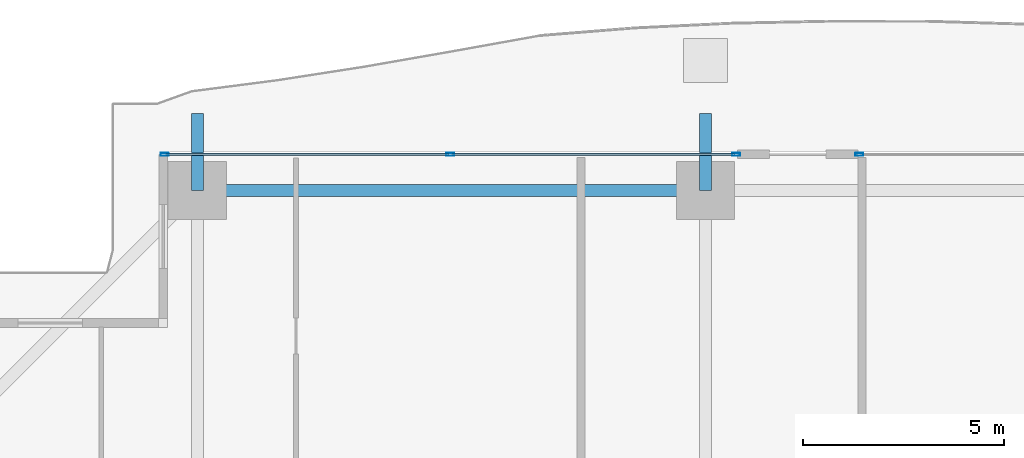
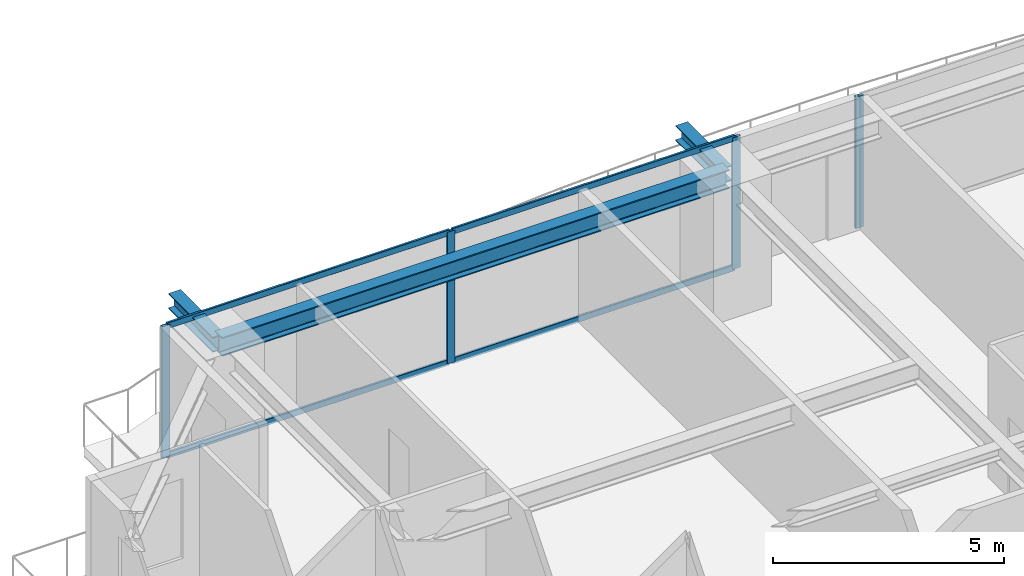
# One storey, part 17 of 34: 8 members, 3 beams, 2 elements without a shape of their own.
"""IFC4 building model written with IfcOpenShell, lengths in metres."""

from ifc_helpers import new_model, si_unit, direction, frame, origin, origin_2d, place, context, subcontext, project, spatial, hollow_rectangle, i_section, extrude, source, transform, mapped, material, layer, layer_set, material_profile, profile_set, type_object, element, aggregate, save


model = new_model("IFC4")

# Units and contexts
model_context = context("Model", 3, precision=1e-05, world=origin(), true_north=direction((0.0, 1.0)))
body_context = subcontext(model_context, "Body", "Model", "MODEL_VIEW")
ifc_project = project(units=[si_unit("LENGTHUNIT", "METRE"), si_unit("AREAUNIT", "SQUARE_METRE"), si_unit("VOLUMEUNIT", "CUBIC_METRE"), si_unit("PLANEANGLEUNIT", "RADIAN"), si_unit("MASSUNIT", "GRAM", prefix="KILO")], contexts=[model_context])

# Site, building, storey
site_placement = place(None, origin())
site = spatial("IfcSite", under=ifc_project, at=site_placement, CompositionType="ELEMENT")
building_placement = place(site_placement, origin())
building = spatial("IfcBuilding", under=site, at=building_placement, Name="Serunith Strait Residences", CompositionType="ELEMENT")
storey_placement = place(building_placement, frame((0.0, 0.0, 101.699951171875)))
storey = spatial("IfcBuildingStorey", under=building, at=storey_placement, Name="L25", CompositionType="ELEMENT", Elevation=101.699951171875)

# Beams
ifc_material_1 = material(Name="Steel S355J2", Category="steel")
ifc_material_profile_1 = material_profile(ifc_material_1, i_section(OverallWidth=0.300048828125, OverallDepth=0.5, WebThickness=0.014404296875, FlangeThickness=0.028076171875, FilletRadius=0.027099609375, at=origin_2d()), Name="HEB 500")
ifc_profile_set_1 = profile_set([ifc_material_profile_1], Name="Steel S355J2")
beam_type_1 = type_object("IfcBeamType", Name="BM-HEB500", PredefinedType="BEAM", material=ifc_profile_set_1)
shared_shape_1 = source(origin(), body_context, "Body", "SweptSolid", [
    extrude(i_section(OverallWidth=0.300048828125, OverallDepth=0.5, WebThickness=0.014404296875, FlangeThickness=0.028076171875, FilletRadius=0.027099609375, at=origin_2d()), origin(), (0.0, 0.0, 1.0), 12.64990234375),
])
beam_placement = place(storey_placement, frame((27.89990234375, 49.300048828125, 3.237060546875), z_axis=(-1.0, 0.0, 0.0), x_axis=(0.0, -1.0, 0.0)))
element("IfcBeam", 1, at=beam_placement, inside=storey, type_object=beam_type_1, Name="L25 Perimeter Ring Beam 11", PredefinedType="BEAM", context=body_context, shape_type="MappedRepresentation", body=[
    mapped(shared_shape_1, transform((0.0, 0.0, 0.0), scale=1.0)),
])
ifc_material_profile_2 = material_profile(ifc_material_1, i_section(OverallWidth=0.300048828125, OverallDepth=0.39990234375, WebThickness=0.013427734375, FlangeThickness=0.02392578125, FilletRadius=0.027099609375, at=origin_2d()), Name="HEB 400")
ifc_profile_set_2 = profile_set([ifc_material_profile_2], Name="Steel S355J2")
beam_type_2 = type_object("IfcBeamType", Name="BM-HEB400", PredefinedType="BEAM", material=ifc_profile_set_2)
shared_shape_2 = source(origin(), body_context, "Body", "SweptSolid", [
    extrude(i_section(OverallWidth=0.300048828125, OverallDepth=0.39990234375, WebThickness=0.013427734375, FlangeThickness=0.02392578125, FilletRadius=0.027099609375, at=origin_2d()), origin(), (0.0, 0.0, 1.0), 1.909912109375),
])
for number, where, z_axis, x_axis, name in (
    (2, (15.25, 49.300048828125, 3.257080078125), (0.0, 1.0, 0.0), (-1.0, 0.0, 0.0), "L26 Cantilevered Balcony Rib TC-N1"),
    (3, (27.89990234375, 49.300048828125, 3.257080078125), (0.0, 1.0, 0.0), (-1.0, 0.0, 0.0), "L26 Cantilevered Balcony Rib TC-N2"),
):
    element("IfcBeam", number, at=place(storey_placement, frame(where, z_axis=z_axis, x_axis=x_axis)), inside=storey, type_object=beam_type_2, Name=name, PredefinedType="BEAM", context=body_context, shape_type="MappedRepresentation", body=[
        mapped(shared_shape_2, transform((0.0, 0.0, 0.0), scale=1.0)),
    ])

# Curtain wall, member
ifc_material_2 = material(Name="Pale-Champagne Anodised Aluminium", Category="aluminium")
ifc_layer = layer(ifc_material_2, 0.199951171875, Name="Pale-Champagne Anodised Aluminium")
ifc_layer_set = layer_set([ifc_layer], Name="Pale-Champagne Anodised Aluminium")
curtain_wall_type = type_object("IfcCurtainWallType", Name="CW-SYS1", PredefinedType="NOTDEFINED", material=ifc_layer_set)
curtain_wall_1_placement = place(storey_placement, origin())
curtain_wall_1 = element("IfcCurtainWall", 4, at=curtain_wall_1_placement, inside=storey, type_object=curtain_wall_type, Name="L25 N Unitised Fritted Curtain Wall", PredefinedType="NOTDEFINED")
ifc_material_profile_3 = material_profile(ifc_material_2, hollow_rectangle(XDim=0.070068359375, YDim=0.199951171875, WallThickness=0.00390625, InnerFilletRadius=0.006103515625, OuterFilletRadius=0.010009765625, at=origin_2d()), Name="ALU 200x70x4")
ifc_profile_set_3 = profile_set([ifc_material_profile_3], Name="Pale-Champagne Anodised Aluminium")
member_type_1 = type_object("IfcMemberType", Name="CW-SYS1-MULL", PredefinedType="MULLION", material=ifc_profile_set_3)
shared_shape_3 = source(origin(), body_context, "Body", "SweptSolid", [
    extrude(hollow_rectangle(XDim=0.070068359375, YDim=0.199951171875, WallThickness=0.00390625, InnerFilletRadius=0.006103515625, OuterFilletRadius=0.010009765625, at=origin_2d()), origin(), (0.0, 0.0, 1.0), 3.47509765625),
])
member_1_placement = place(storey_placement, frame((31.735107421875, 50.199951171875, 0.0), z_axis=(0.0, 0.0, 1.0), x_axis=(0.0, -1.0, 0.0)))
member_1 = element("IfcMember", 5, at=member_1_placement, type_object=member_type_1, Name="CW-1 mullion 4", PredefinedType="MULLION", context=body_context, shape_type="MappedRepresentation", body=[
    mapped(shared_shape_3, transform((0.0, 0.0, 0.0), scale=1.0)),
])
aggregate(curtain_wall_1, [member_1])

# Curtain wall, members
curtain_wall_2_placement = place(storey_placement, origin())
curtain_wall_2 = element("IfcCurtainWall", 6, at=curtain_wall_2_placement, inside=storey, type_object=curtain_wall_type, Name="L25 N Unitised Fritted Curtain Wall", PredefinedType="NOTDEFINED")
member_2_placement = place(storey_placement, frame((28.6650390625, 50.199951171875, 0.0), z_axis=(0.0, 0.0, 1.0), x_axis=(0.0, -1.0, 0.0)))
member_2 = element("IfcMember", 7, at=member_2_placement, type_object=member_type_1, Name="CW-1 mullion 1", PredefinedType="MULLION", context=body_context, shape_type="MappedRepresentation", body=[
    mapped(shared_shape_3, transform((0.0, 0.0, 0.0), scale=1.0)),
])
member_3_placement = place(storey_placement, frame((21.550048828125, 50.199951171875, 0.0), z_axis=(0.0, 0.0, 1.0), x_axis=(0.0, -1.0, 0.0)))
member_3 = element("IfcMember", 8, at=member_3_placement, type_object=member_type_1, Name="CW-1 mullion 2", PredefinedType="MULLION", context=body_context, shape_type="MappedRepresentation", body=[
    mapped(shared_shape_3, transform((0.0, 0.0, 0.0), scale=1.0)),
])
member_4_placement = place(storey_placement, frame((14.43505859375, 50.199951171875, 0.0), z_axis=(0.0, 0.0, 1.0), x_axis=(0.0, -1.0, 0.0)))
member_4 = element("IfcMember", 9, at=member_4_placement, type_object=member_type_1, Name="CW-1 mullion 3", PredefinedType="MULLION", context=body_context, shape_type="MappedRepresentation", body=[
    mapped(shared_shape_3, transform((0.0, 0.0, 0.0), scale=1.0)),
])
ifc_material_profile_4 = material_profile(ifc_material_2, hollow_rectangle(XDim=0.06005859375, YDim=0.159912109375, WallThickness=0.00341796875, InnerFilletRadius=0.00537109375, OuterFilletRadius=0.0087890625, at=origin_2d()), Name="ALU 160x60x3.5")
ifc_profile_set_4 = profile_set([ifc_material_profile_4], Name="Pale-Champagne Anodised Aluminium")
member_type_2 = type_object("IfcMemberType", Name="CW-SYS1-TRAN", PredefinedType="USERDEFINED", material=ifc_profile_set_4)
shared_shape_4 = source(origin(), body_context, "Body", "SweptSolid", [
    extrude(hollow_rectangle(XDim=0.06005859375, YDim=0.159912109375, WallThickness=0.00341796875, InnerFilletRadius=0.00537109375, OuterFilletRadius=0.0087890625, at=origin_2d()), origin(), (0.0, 0.0, 1.0), 7.044921875),
])
member_5_placement = place(storey_placement, frame((28.6298828125, 50.199951171875, 0.030029296875), z_axis=(-1.0, 0.0, 0.0), x_axis=(0.0, -1.0, 0.0)))
member_5 = element("IfcMember", 10, at=member_5_placement, type_object=member_type_2, Name="CW-1 transom 1.1", ObjectType="TRANSOM", PredefinedType="USERDEFINED", context=body_context, shape_type="MappedRepresentation", body=[
    mapped(shared_shape_4, transform((0.0, 0.0, 0.0), scale=1.0)),
])
member_6_placement = place(storey_placement, frame((28.6298828125, 50.199951171875, 3.445068359375), z_axis=(-1.0, 0.0, 0.0), x_axis=(0.0, -1.0, 0.0)))
member_6 = element("IfcMember", 11, at=member_6_placement, type_object=member_type_2, Name="CW-1 transom 1.2", ObjectType="TRANSOM", PredefinedType="USERDEFINED", context=body_context, shape_type="MappedRepresentation", body=[
    mapped(shared_shape_4, transform((0.0, 0.0, 0.0), scale=1.0)),
])
member_7_placement = place(storey_placement, frame((21.514892578125, 50.199951171875, 0.030029296875), z_axis=(-1.0, 0.0, 0.0), x_axis=(0.0, -1.0, 0.0)))
member_7 = element("IfcMember", 12, at=member_7_placement, type_object=member_type_2, Name="CW-1 transom 2.1", ObjectType="TRANSOM", PredefinedType="USERDEFINED", context=body_context, shape_type="MappedRepresentation", body=[
    mapped(shared_shape_4, transform((0.0, 0.0, 0.0), scale=1.0)),
])
member_8_placement = place(storey_placement, frame((21.514892578125, 50.199951171875, 3.445068359375), z_axis=(-1.0, 0.0, 0.0), x_axis=(0.0, -1.0, 0.0)))
member_8 = element("IfcMember", 13, at=member_8_placement, type_object=member_type_2, Name="CW-1 transom 2.2", ObjectType="TRANSOM", PredefinedType="USERDEFINED", context=body_context, shape_type="MappedRepresentation", body=[
    mapped(shared_shape_4, transform((0.0, 0.0, 0.0), scale=1.0)),
])
aggregate(curtain_wall_2, [member_2, member_3, member_4, member_5, member_6, member_7, member_8])

save(model, "model.ifc")
